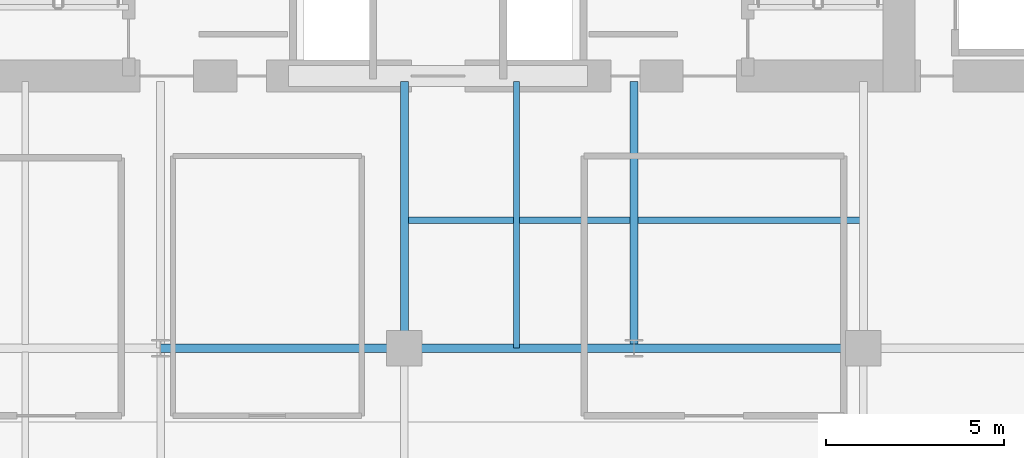
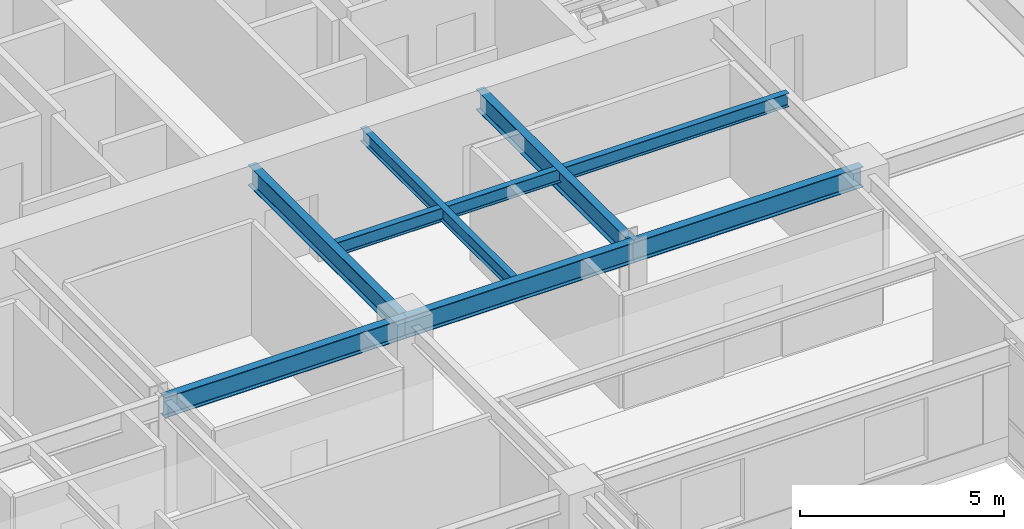
# One storey, part 6 of 25: 7 beams.
"""IFC4 building model written with IfcOpenShell, lengths in metres."""

from ifc_helpers import new_model, si_unit, direction, frame, origin, origin_2d, place, context, subcontext, project, spatial, i_section, extrude, source, transform, mapped, material, material_profile, profile_set, type_object, type_shapes, element, save


model = new_model("IFC4")

# Units and contexts
model_context = context("Model", 3, precision=1e-05, world=origin(), true_north=direction((0.0, 1.0)))
body_context = subcontext(model_context, "Body", "Model", "MODEL_VIEW")
ifc_project = project(units=[si_unit("LENGTHUNIT", "METRE"), si_unit("AREAUNIT", "SQUARE_METRE"), si_unit("VOLUMEUNIT", "CUBIC_METRE"), si_unit("PLANEANGLEUNIT", "RADIAN"), si_unit("MASSUNIT", "GRAM", prefix="KILO")], contexts=[model_context])

# Site, building, storey
site_placement = place(None, origin())
site = spatial("IfcSite", under=ifc_project, at=site_placement, CompositionType="ELEMENT")
building_placement = place(site_placement, origin())
building = spatial("IfcBuilding", under=site, at=building_placement, Name="Tolvann Quenvar Hotel", CompositionType="ELEMENT")
storey_placement = place(building_placement, frame((0.0, 0.0, 60.39990234375)))
storey = spatial("IfcBuildingStorey", under=building, at=storey_placement, Name="L14", CompositionType="ELEMENT", Elevation=60.39990234375)

# Beams
ifc_material = material(Name="Steel Grade 350", Category="steel")
ifc_material_profile_1 = material_profile(ifc_material, i_section(OverallWidth=0.22900390625, OverallDepth=0.612060546875, WebThickness=0.011962890625, FlangeThickness=0.01953125, FilletRadius=0.013916015625, at=origin_2d()), Name="610UB125")
ifc_profile_set_1 = profile_set([ifc_material_profile_1], Name="Steel Grade 350")
beam_type_1 = type_object("IfcBeamType", Name="BM_GIRD_610UB125", PredefinedType="BEAM", material=ifc_profile_set_1)
shared_shape_1 = source(origin(), body_context, "Body", "SweptSolid", [
    extrude(i_section(OverallWidth=0.22900390625, OverallDepth=0.612060546875, WebThickness=0.011962890625, FlangeThickness=0.01953125, FilletRadius=0.013916015625, at=origin_2d()), origin(), (0.0, 0.0, 1.0), 6.85009765625),
])
beam_1_placement = place(storey_placement, frame((15.199951171875, 24.39990234375, 3.064208984375), z_axis=(1.0, 0.0, 0.0), x_axis=(0.0, 1.0, 0.0)))
element("IfcBeam", 1, at=beam_1_placement, inside=storey, type_object=beam_type_1, Name="BM-L14-EW-5-D5-E5", PredefinedType="BEAM", context=body_context, shape_type="MappedRepresentation", body=[
    mapped(shared_shape_1, transform((0.0, 0.0, 0.0), x_axis=(1.0, 0.0, 0.0), y_axis=(0.0, 1.0, 0.0), z_axis=(0.0, 0.0, 1.0), scale=1.0)),
])
shared_shape_2 = source(origin(), body_context, "Body", "SweptSolid", [
    extrude(i_section(OverallWidth=0.22900390625, OverallDepth=0.612060546875, WebThickness=0.011962890625, FlangeThickness=0.01953125, FilletRadius=0.013916015625, at=origin_2d()), origin(), (0.0, 0.0, 1.0), 6.449951171875),
])
for number, where, z_axis, x_axis, name in (
    (2, (22.050048828125, 24.39990234375, 3.064208984375), (1.0, 0.0, 0.0), (0.0, 1.0, 0.0), "BM-L14-EW-5-E5-M5"),
    (3, (28.5, 24.39990234375, 3.064208984375), (1.0, 0.0, 0.0), (0.0, 1.0, 0.0), "BM-L14-EW-5-M5-F5"),
):
    element("IfcBeam", number, at=place(storey_placement, frame(where, z_axis=z_axis, x_axis=x_axis)), inside=storey, type_object=beam_type_1, Name=name, PredefinedType="BEAM", context=body_context, shape_type="MappedRepresentation", body=[
        mapped(shared_shape_2, transform((0.0, 0.0, 0.0), x_axis=(1.0, 0.0, 0.0), y_axis=(0.0, 1.0, 0.0), z_axis=(0.0, 0.0, 1.0), scale=1.0)),
    ])
shared_shape_3 = source(origin(), body_context, "Body", "SweptSolid", [
    extrude(i_section(OverallWidth=0.22900390625, OverallDepth=0.612060546875, WebThickness=0.011962890625, FlangeThickness=0.01953125, FilletRadius=0.013916015625, at=origin_2d()), origin(), (0.0, 0.0, 1.0), 7.5),
])
type_shapes(beam_type_1, [shared_shape_1, shared_shape_2, shared_shape_3])
for number, where, z_axis, x_axis, name in (
    (4, (22.050048828125, 24.39990234375, 3.064208984375), (0.0, 1.0, 0.0), (-1.0, 0.0, 0.0), "BM-L14-CORE-E5"),
    (5, (28.5, 24.39990234375, 3.064208984375), (0.0, 1.0, 0.0), (-1.0, 0.0, 0.0), "BM-L14-CORE-M5"),
):
    element("IfcBeam", number, at=place(storey_placement, frame(where, z_axis=z_axis, x_axis=x_axis)), inside=storey, type_object=beam_type_1, Name=name, PredefinedType="BEAM", context=body_context, shape_type="MappedRepresentation", body=[
        mapped(shared_shape_3, transform((0.0, 0.0, 0.0), x_axis=(1.0, 0.0, 0.0), y_axis=(0.0, 1.0, 0.0), z_axis=(0.0, 0.0, 1.0), scale=1.0)),
    ])
ifc_material_profile_2 = material_profile(ifc_material, i_section(OverallWidth=0.177978515625, OverallDepth=0.406005859375, WebThickness=0.0078125, FlangeThickness=0.0126953125, FilletRadius=0.011474609375, at=origin_2d()), Name="410UB60")
ifc_profile_set_2 = profile_set([ifc_material_profile_2], Name="Steel Grade 350")
beam_type_2 = type_object("IfcBeamType", Name="BM_JOIST_410UB60", PredefinedType="JOIST", material=ifc_profile_set_2)
shared_shape_4 = source(origin(), body_context, "Body", "SweptSolid", [
    extrude(i_section(OverallWidth=0.177978515625, OverallDepth=0.406005859375, WebThickness=0.0078125, FlangeThickness=0.0126953125, FilletRadius=0.011474609375, at=origin_2d()), origin(), (0.0, 0.0, 1.0), 12.89990234375),
])
beam_2_placement = place(storey_placement, frame((22.050048828125, 28.0, 3.1669921875), z_axis=(1.0, 0.0, 0.0), x_axis=(0.0, 1.0, 0.0)))
element("IfcBeam", 6, at=beam_2_placement, inside=storey, type_object=beam_type_2, Name="BM-L14-SPINE-28", PredefinedType="JOIST", context=body_context, shape_type="MappedRepresentation", body=[
    mapped(shared_shape_4, transform((0.0, 0.0, 0.0), x_axis=(1.0, 0.0, 0.0), y_axis=(0.0, 1.0, 0.0), z_axis=(0.0, 0.0, 1.0), scale=1.0)),
])
shared_shape_5 = source(origin(), body_context, "Body", "SweptSolid", [
    extrude(i_section(OverallWidth=0.177978515625, OverallDepth=0.406005859375, WebThickness=0.0078125, FlangeThickness=0.0126953125, FilletRadius=0.011474609375, at=origin_2d()), origin(), (0.0, 0.0, 1.0), 7.5),
])
type_shapes(beam_type_2, [shared_shape_4, shared_shape_5])
beam_3_placement = place(storey_placement, frame((25.199951171875, 24.39990234375, 3.1669921875), z_axis=(0.0, 1.0, 0.0), x_axis=(-1.0, 0.0, 0.0)))
element("IfcBeam", 7, at=beam_3_placement, inside=storey, type_object=beam_type_2, Name="BJ-L14-252-244", PredefinedType="JOIST", context=body_context, shape_type="MappedRepresentation", body=[
    mapped(shared_shape_5, transform((0.0, 0.0, 0.0), x_axis=(1.0, 0.0, 0.0), y_axis=(0.0, 1.0, 0.0), z_axis=(0.0, 0.0, 1.0), scale=1.0)),
])

save(model, "model.ifc")
